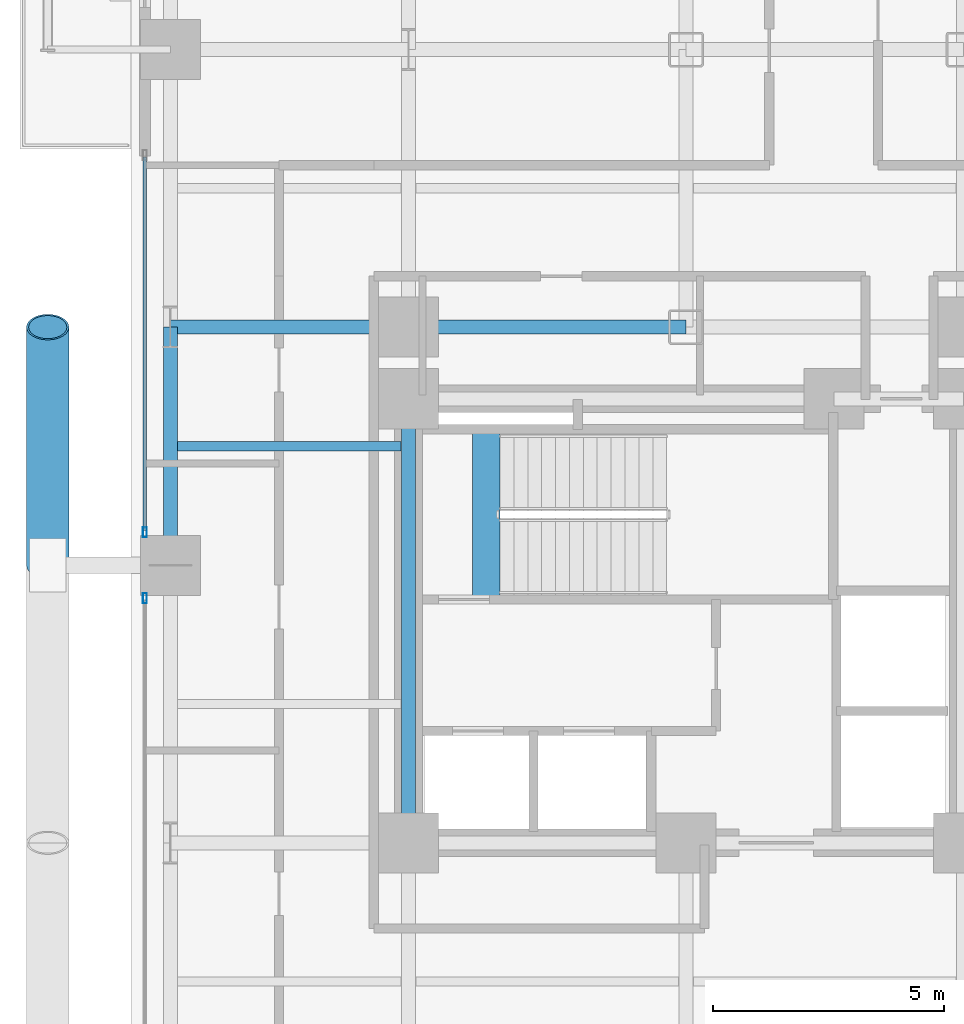
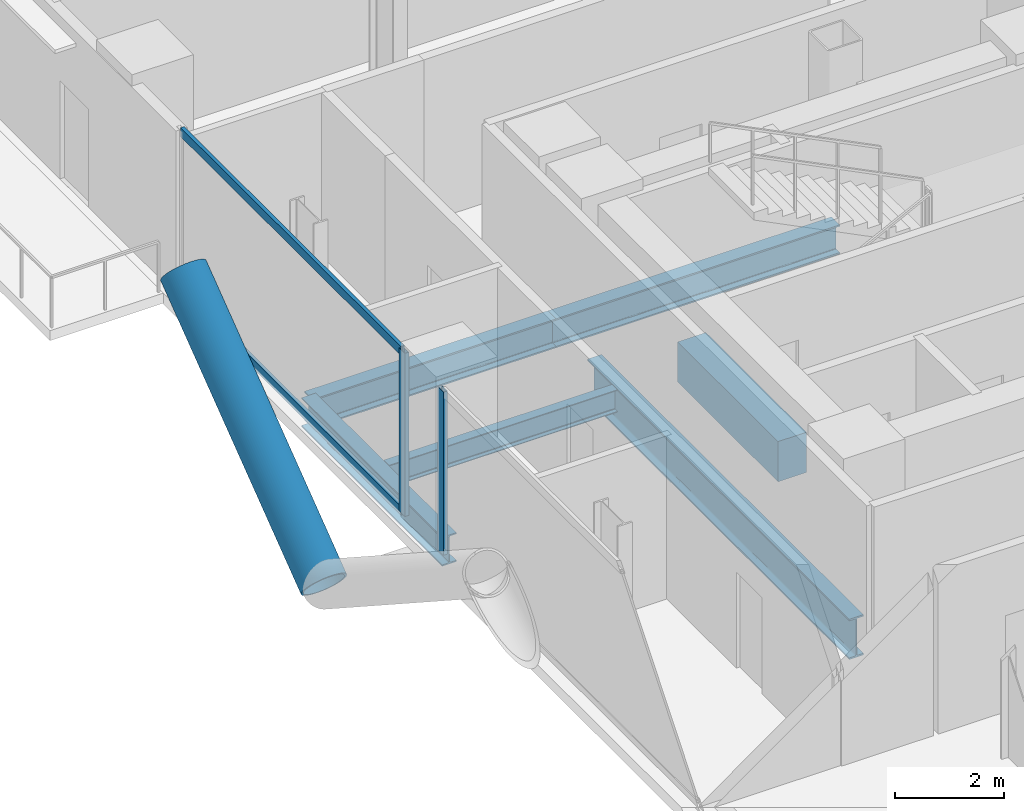
# One storey, part 5 of 27: 6 beams, 5 members, 2 elements without a shape of their own.
"""IFC4 building model written with IfcOpenShell, lengths in metres."""

from ifc_helpers import new_model, si_unit, direction, frame, origin, origin_2d, place, context, subcontext, project, spatial, rectangle, hollow_rectangle, hollow_circle, i_section, extrude, material, layer, layer_set, material_profile, profile_set, type_object, element, aggregate, save


model = new_model("IFC4")

# Units and contexts
model_context = context("Model", 3, precision=1e-05, world=origin(), true_north=direction((0.0, 1.0)))
body_context = subcontext(model_context, "Body", "Model", "MODEL_VIEW")
ifc_project = project(units=[si_unit("LENGTHUNIT", "METRE"), si_unit("AREAUNIT", "SQUARE_METRE"), si_unit("VOLUMEUNIT", "CUBIC_METRE"), si_unit("PLANEANGLEUNIT", "RADIAN"), si_unit("MASSUNIT", "GRAM", prefix="KILO"), si_unit("THERMODYNAMICTEMPERATUREUNIT", "KELVIN"), si_unit("POWERUNIT", "WATT")], contexts=[model_context])

# Site, building, storey
site_placement = place(None, origin())
site = spatial("IfcSite", under=ifc_project, at=site_placement, CompositionType="ELEMENT")
building_placement = place(site_placement, origin())
building = spatial("IfcBuilding", under=site, at=building_placement, Name="Svarakhadi Broadcast Tower", CompositionType="ELEMENT")
storey_placement = place(building_placement, frame((0.0, 0.0, 59.699951171875)))
storey = spatial("IfcBuildingStorey", under=building, at=storey_placement, Name="L13", CompositionType="ELEMENT", Elevation=59.699951171875)

# Beam
ifc_material_1 = material(Name="Steel S355J2 (IS 2062 E350C)", Category="steel")
ifc_material_profile_1 = material_profile(ifc_material_1, i_section(OverallWidth=0.199951171875, OverallDepth=0.5, WebThickness=0.01025390625, FlangeThickness=0.01611328125, FilletRadius=0.02099609375, at=origin_2d()), Name="NPB 500x200x91")
ifc_profile_set_1 = profile_set([ifc_material_profile_1], Name="Steel S355J2 (IS 2062 E350C)")
beam_type_1 = type_object("IfcBeamType", Name="Beam_NPB500", PredefinedType="BEAM", material=ifc_profile_set_1)
beam_1_placement = place(storey_placement, frame((1.010009765625, 26.574951171875, -0.5), z_axis=(1.0, 0.0, 0.0), x_axis=(0.0, 1.0, 0.0)))
element("IfcBeam", 1, at=beam_1_placement, inside=storey, type_object=beam_type_1, Name="L13 Secondary Composite Beam SB004", PredefinedType="BEAM", context=body_context, shape_type="SweptSolid", body=[
    extrude(i_section(OverallWidth=0.199951171875, OverallDepth=0.5, WebThickness=0.01025390625, FlangeThickness=0.01611328125, FilletRadius=0.02099609375, at=origin_2d()), origin(), (0.0, 0.0, 1.0), 4.830078125),
])

# Curtain wall, member
ifc_material_2 = material(Name="Anodised Bronze Aluminium AA 6063-T6", Category="aluminium")
ifc_layer = layer(ifc_material_2, 0.219970703125)
ifc_layer_set = layer_set([ifc_layer], Name="Anodised Bronze Aluminium AA 6063-T6")
curtain_wall_type = type_object("IfcCurtainWallType", Name="CW_Sys_02", PredefinedType="NOTDEFINED", material=ifc_layer_set)
curtain_wall_1_placement = place(storey_placement, origin())
curtain_wall_1 = element("IfcCurtainWall", 2, at=curtain_wall_1_placement, inside=storey, type_object=curtain_wall_type, Name="L13 West Curtain Wall 02 Bay 2", PredefinedType="NOTDEFINED")
ifc_material_profile_2 = material_profile(ifc_material_2, hollow_rectangle(XDim=0.0849609375, YDim=0.219970703125, WallThickness=0.006103515625, at=origin_2d()), Name="ALU MULLION 220x85x6")
ifc_profile_set_2 = profile_set([ifc_material_profile_2], Name="Anodised Bronze Aluminium AA 6063-T6")
member_type_1 = type_object("IfcMemberType", Name="CW_Sys_02_Mul", PredefinedType="MULLION", material=ifc_profile_set_2)
member_1_placement = place(storey_placement, frame((0.300048828125, 23.28759765625, 0.0), z_axis=(0.0, 0.0, 1.0), x_axis=(-1.0, 0.0, 0.0)))
member_1 = element("IfcMember", 3, at=member_1_placement, type_object=member_type_1, Name="CW-02 mullion 2", PredefinedType="MULLION", context=body_context, shape_type="SweptSolid", body=[
    extrude(hollow_rectangle(XDim=0.0849609375, YDim=0.219970703125, WallThickness=0.006103515625, at=origin_2d()), origin(), (0.0, 0.0, 1.0), 3.650146484375),
])
aggregate(curtain_wall_1, [member_1])

# Curtain wall, members
curtain_wall_2_placement = place(storey_placement, origin())
curtain_wall_2 = element("IfcCurtainWall", 4, at=curtain_wall_2_placement, inside=storey, type_object=curtain_wall_type, Name="L13 West Curtain Wall 02 Bay 3", PredefinedType="NOTDEFINED")
member_2_placement = place(storey_placement, frame((0.300048828125, 24.71240234375, 0.0), z_axis=(0.0, 0.0, 1.0), x_axis=(-1.0, 0.0, 0.0)))
member_2 = element("IfcMember", 5, at=member_2_placement, type_object=member_type_1, Name="CW-02 mullion 1", PredefinedType="MULLION", context=body_context, shape_type="SweptSolid", body=[
    extrude(hollow_rectangle(XDim=0.0849609375, YDim=0.219970703125, WallThickness=0.006103515625, at=origin_2d()), origin(), (0.0, 0.0, 1.0), 3.650146484375),
])
ifc_material_profile_3 = material_profile(ifc_material_2, hollow_rectangle(XDim=0.074951171875, YDim=0.199951171875, WallThickness=0.0048828125, at=origin_2d()), Name="ALU TRANSOM 200x75x5")
ifc_profile_set_3 = profile_set([ifc_material_profile_3], Name="Anodised Bronze Aluminium AA 6063-T6")
member_type_2 = type_object("IfcMemberType", Name="CW_Sys_02_Trn", PredefinedType="USERDEFINED", material=ifc_profile_set_3)
member_3_placement = place(storey_placement, frame((0.300048828125, 24.7548828125, 0.03759765625), z_axis=(0.0, 1.0, 0.0), x_axis=(-1.0, 0.0, 0.0)))
member_3 = element("IfcMember", 6, at=member_3_placement, type_object=member_type_2, Name="CW-02 transom 1.1", ObjectType="TRANSOM", PredefinedType="USERDEFINED", context=body_context, shape_type="SweptSolid", body=[
    extrude(hollow_rectangle(XDim=0.074951171875, YDim=0.199951171875, WallThickness=0.0048828125, at=origin_2d()), origin(), (0.0, 0.0, 1.0), 8.070068359375),
])
member_4_placement = place(storey_placement, frame((0.300048828125, 24.7548828125, 3.612548828125), z_axis=(0.0, 1.0, 0.0), x_axis=(-1.0, 0.0, 0.0)))
member_4 = element("IfcMember", 7, at=member_4_placement, type_object=member_type_2, Name="CW-02 transom 1.2", ObjectType="TRANSOM", PredefinedType="USERDEFINED", context=body_context, shape_type="SweptSolid", body=[
    extrude(hollow_rectangle(XDim=0.074951171875, YDim=0.199951171875, WallThickness=0.0048828125, at=origin_2d()), origin(), (0.0, 0.0, 1.0), 8.070068359375),
])
aggregate(curtain_wall_2, [member_2, member_3, member_4])

# Beam
ifc_material_3 = material(Name="Concrete C50/60 (IS 456 M60)", Category="concrete")
ifc_material_profile_4 = material_profile(ifc_material_3, rectangle(XDim=0.60009765625, YDim=0.89990234375, at=origin_2d()), Name="RC 600x900")
ifc_profile_set_4 = profile_set([ifc_material_profile_4], Name="Concrete C50/60 (IS 456 M60)")
beam_type_2 = type_object("IfcBeamType", Name="Coupling_RC600", PredefinedType="USERDEFINED", material=ifc_profile_set_4)
beam_2_placement = place(storey_placement, frame((7.679931640625, 23.260009765625, -0.449951171875), z_axis=(0.0, 1.0, 0.0), x_axis=(-1.0, 0.0, 0.0)))
element("IfcBeam", 8, at=beam_2_placement, inside=storey, type_object=beam_type_2, Name="L13 Stair ST-01 Landing Throat Trimmer Beam CB-01", ObjectType="GIRDER", PredefinedType="USERDEFINED", context=body_context, shape_type="SweptSolid", body=[
    extrude(rectangle(XDim=0.60009765625, YDim=0.89990234375, at=origin_2d()), origin(), (0.0, 0.0, 1.0), 3.679931640625),
])

# Member
ifc_material_4 = material(Name="Steel S460ML (IS 2062 E450BR)", Category="steel")
ifc_material_profile_5 = material_profile(ifc_material_4, hollow_circle(Radius=0.45703125, WallThickness=0.044921875, at=origin_2d()), Name="CHS 914x45")
ifc_profile_set_5 = profile_set([ifc_material_profile_5], Name="Steel S460ML (IS 2062 E450BR)")
member_type_3 = type_object("IfcMemberType", Name="Exo_Brace_CHS914", PredefinedType="BRACE", material=ifc_profile_set_5)
member_5_placement = place(storey_placement, frame((-1.800048828125, 24.0, -0.427734375), z_axis=(0.0, 0.797206791841, 0.603706328476), x_axis=(-1.0, 0.0, 0.0)))
element("IfcMember", 9, at=member_5_placement, inside=storey, type_object=member_type_3, Name="L13 Exposed Bronze Exoskeleton Diagonal W09", PredefinedType="BRACE", context=body_context, shape_type="SweptSolid", body=[
    extrude(hollow_circle(Radius=0.45703125, WallThickness=0.044921875, at=origin_2d()), origin(), (0.0, 0.0, 1.0), 6.4599609375),
])

# Beams
ifc_material_profile_6 = material_profile(ifc_material_1, i_section(OverallWidth=0.300048828125, OverallDepth=0.64990234375, WebThickness=0.01611328125, FlangeThickness=0.031005859375, FilletRadius=0.027099609375, at=origin_2d()), Name="WPB 650x300x225")
ifc_profile_set_6 = profile_set([ifc_material_profile_6], Name="Steel S355J2 (IS 2062 E350C)")
beam_type_3 = type_object("IfcBeamType", Name="Girder_WPB650", PredefinedType="USERDEFINED", material=ifc_profile_set_6)
beam_3_placement = place(storey_placement, frame((0.85009765625, 29.14990234375, -0.574951171875), z_axis=(1.0, 0.0, 0.0), x_axis=(0.0, 1.0, 0.0)))
element("IfcBeam", 10, at=beam_3_placement, inside=storey, type_object=beam_type_3, Name="L13 Primary E-W Girder G034", ObjectType="GIRDER", PredefinedType="USERDEFINED", context=body_context, shape_type="SweptSolid", body=[
    extrude(i_section(OverallWidth=0.300048828125, OverallDepth=0.64990234375, WebThickness=0.01611328125, FlangeThickness=0.031005859375, FilletRadius=0.027099609375, at=origin_2d()), origin(), (0.0, 0.0, 1.0), 5.14990234375),
])
beam_4_placement = place(storey_placement, frame((6.0, 29.14990234375, -0.574951171875), z_axis=(1.0, 0.0, 0.0), x_axis=(0.0, 1.0, 0.0)))
element("IfcBeam", 11, at=beam_4_placement, inside=storey, type_object=beam_type_3, Name="L13 Primary E-W Girder G035", ObjectType="GIRDER", PredefinedType="USERDEFINED", context=body_context, shape_type="SweptSolid", body=[
    extrude(i_section(OverallWidth=0.300048828125, OverallDepth=0.64990234375, WebThickness=0.01611328125, FlangeThickness=0.031005859375, FilletRadius=0.027099609375, at=origin_2d()), origin(), (0.0, 0.0, 1.0), 6.0),
])
beam_5_placement = place(storey_placement, frame((0.85009765625, 24.0, -0.574951171875), z_axis=(0.0, 1.0, 0.0), x_axis=(-1.0, 0.0, 0.0)))
element("IfcBeam", 12, at=beam_5_placement, inside=storey, type_object=beam_type_3, Name="L13 Primary N-S Girder G048", ObjectType="GIRDER", PredefinedType="USERDEFINED", context=body_context, shape_type="SweptSolid", body=[
    extrude(i_section(OverallWidth=0.300048828125, OverallDepth=0.64990234375, WebThickness=0.01611328125, FlangeThickness=0.031005859375, FilletRadius=0.027099609375, at=origin_2d()), origin(), (0.0, 0.0, 1.0), 5.14990234375),
])
ifc_material_profile_7 = material_profile(ifc_material_4, i_section(OverallWidth=0.300048828125, OverallDepth=0.89990234375, WebThickness=0.0185546875, FlangeThickness=0.034912109375, FilletRadius=0.030029296875, at=origin_2d()), Name="WPB 900x300x291")
ifc_profile_set_7 = profile_set([ifc_material_profile_7], Name="Steel S460ML (IS 2062 E450BR)")
beam_type_4 = type_object("IfcBeamType", Name="Girder_WPB900", PredefinedType="USERDEFINED", material=ifc_profile_set_7)
beam_6_placement = place(storey_placement, frame((6.0, 18.0, -0.699951171875), z_axis=(0.0, 1.0, 0.0), x_axis=(-1.0, 0.0, 0.0)))
element("IfcBeam", 13, at=beam_6_placement, inside=storey, type_object=beam_type_4, Name="L13 Primary N-S Girder G054", ObjectType="GIRDER", PredefinedType="USERDEFINED", context=body_context, shape_type="SweptSolid", body=[
    extrude(i_section(OverallWidth=0.300048828125, OverallDepth=0.89990234375, WebThickness=0.0185546875, FlangeThickness=0.034912109375, FilletRadius=0.030029296875, at=origin_2d()), origin(), (0.0, 0.0, 1.0), 9.60009765625),
])

save(model, "model.ifc")
